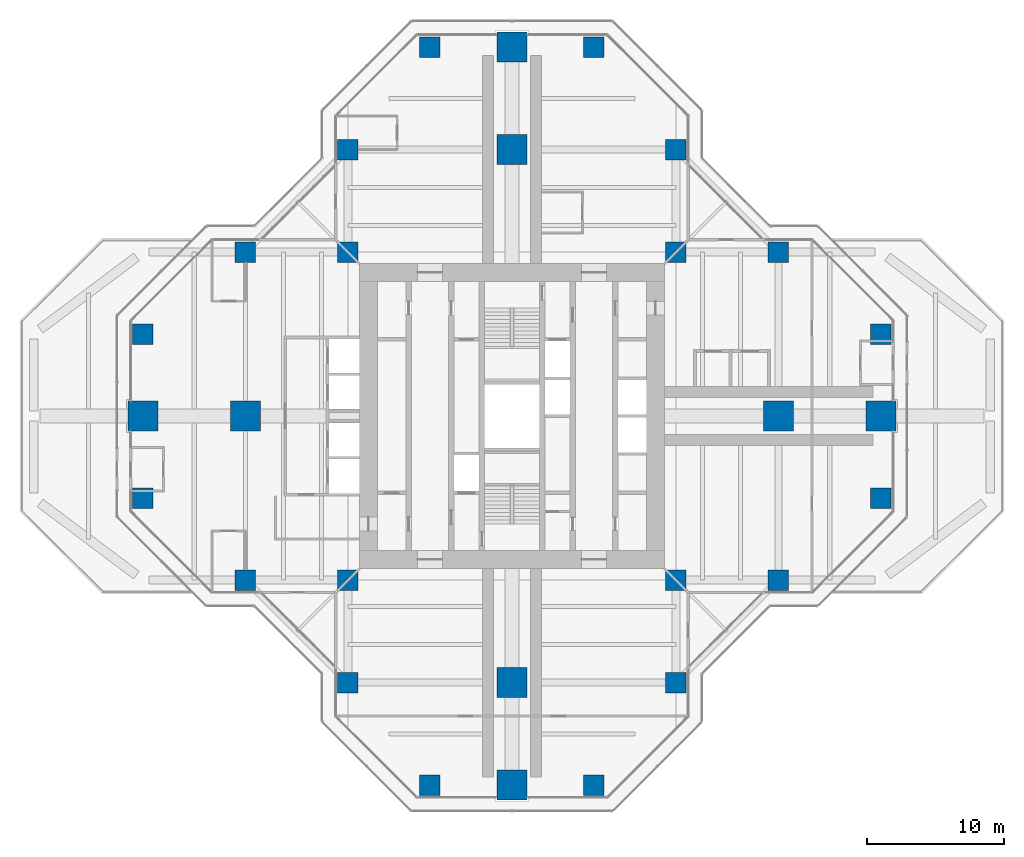
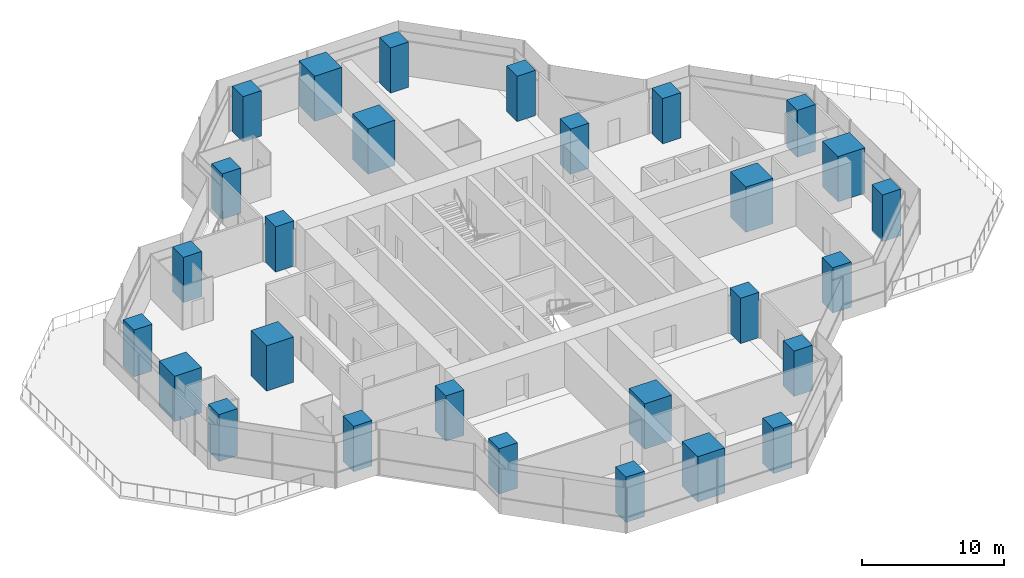
# One storey, part 1 of 19: 28 columns.
"""IFC4 building model written with IfcOpenShell, lengths in metres."""

from ifc_helpers import new_model, si_unit, direction, frame, origin, origin_2d, place, context, subcontext, project, spatial, rectangle, extrude, material, material_profile, profile_set, type_object, element, save


model = new_model("IFC4")

# Units and contexts
model_context = context("Model", 3, precision=1e-05, world=origin(), true_north=direction((0.0, 1.0)))
body_context = subcontext(model_context, "Body", "Model", "MODEL_VIEW")
ifc_project = project(units=[si_unit("LENGTHUNIT", "METRE"), si_unit("AREAUNIT", "SQUARE_METRE"), si_unit("VOLUMEUNIT", "CUBIC_METRE"), si_unit("PLANEANGLEUNIT", "RADIAN"), si_unit("MASSUNIT", "GRAM", prefix="KILO")], contexts=[model_context])

# Site, building, storey
site_placement = place(None, origin())
site = spatial("IfcSite", under=ifc_project, at=site_placement, CompositionType="ELEMENT")
building_placement = place(site_placement, origin())
building = spatial("IfcBuilding", under=site, at=building_placement, Name="Mizan Broadcast Tower", CompositionType="ELEMENT")
storey_placement = place(building_placement, frame((0.0, 0.0, 204.89990234375)))
storey = spatial("IfcBuildingStorey", under=building, at=storey_placement, Name="L47", CompositionType="ELEMENT", Elevation=204.89990234375)

# Columns
ifc_material_1 = material(Name="Concrete C70/85", Category="concrete")
ifc_material_profile_1 = material_profile(ifc_material_1, rectangle(XDim=1.5, YDim=1.5, at=origin_2d()), Name="RC 1500x1500")
ifc_profile_set_1 = profile_set([ifc_material_profile_1], Name="Concrete C70/85")
column_type_1 = type_object("IfcColumnType", Name="RC COLUMN 1500x1500 C70/85", PredefinedType="COLUMN", material=ifc_profile_set_1)
for number, where, z_axis, x_axis, name in (
    (1, (-6.0, -27.0, 0.0), (0.0, 0.0, 1.0), (1.0, 0.0, 0.0), "Column 5/B L47"),
    (2, (6.0, -27.0, 0.0), (0.0, 0.0, 1.0), (1.0, 0.0, 0.0), "Column 7/B L47"),
    (3, (-12.0, -19.5, 0.0), (0.0, 0.0, 1.0), (1.0, 0.0, 0.0), "Column 4/C L47"),
    (4, (12.0, -19.5, 0.0), (0.0, 0.0, 1.0), (1.0, 0.0, 0.0), "Column 8/C L47"),
    (5, (-19.5, -12.0, 0.0), (0.0, 0.0, 1.0), (1.0, 0.0, 0.0), "Column 3/D L47"),
    (6, (-12.0, -12.0, 0.0), (0.0, 0.0, 1.0), (1.0, 0.0, 0.0), "Column 4/D L47"),
    (7, (12.0, -12.0, 0.0), (0.0, 0.0, 1.0), (1.0, 0.0, 0.0), "Column 8/D L47"),
    (8, (19.5, -12.0, 0.0), (0.0, 0.0, 1.0), (1.0, 0.0, 0.0), "Column 9/D L47"),
):
    element("IfcColumn", number, at=place(storey_placement, frame(where, z_axis=z_axis, x_axis=x_axis)), inside=storey, type_object=column_type_1, Name=name, PredefinedType="COLUMN", context=body_context, shape_type="SweptSolid", body=[
        extrude(rectangle(XDim=1.5, YDim=1.5, at=origin_2d()), origin(), (0.0, 0.0, 1.0), 3.900146484375),
    ])
for number, where, z_axis, x_axis, name in (
    (9, (-27.0, -6.0, -0.1298828125), (0.0, 0.0, 1.0), (1.0, 0.0, 0.0), "Column 2/E L47"),
    (10, (27.0, -6.0, -0.1298828125), (0.0, 0.0, 1.0), (1.0, 0.0, 0.0), "Column 10/E L47"),
    (11, (-27.0, 6.0, -0.1298828125), (0.0, 0.0, 1.0), (1.0, 0.0, 0.0), "Column 2/G L47"),
    (12, (27.0, 6.0, -0.1298828125), (0.0, 0.0, 1.0), (1.0, 0.0, 0.0), "Column 10/G L47"),
):
    element("IfcColumn", number, at=place(storey_placement, frame(where, z_axis=z_axis, x_axis=x_axis)), inside=storey, type_object=column_type_1, Name=name, PredefinedType="COLUMN", context=body_context, shape_type="SweptSolid", body=[
        extrude(rectangle(XDim=1.5, YDim=1.5, at=origin_2d()), origin(), (0.0, 0.0, 1.0), 4.030029296875),
    ])
for number, where, z_axis, x_axis, name in (
    (13, (-19.5, 12.0, 0.0), (0.0, 0.0, 1.0), (1.0, 0.0, 0.0), "Column 3/H L47"),
    (14, (-12.0, 12.0, 0.0), (0.0, 0.0, 1.0), (1.0, 0.0, 0.0), "Column 4/H L47"),
    (15, (12.0, 12.0, 0.0), (0.0, 0.0, 1.0), (1.0, 0.0, 0.0), "Column 8/H L47"),
    (16, (19.5, 12.0, 0.0), (0.0, 0.0, 1.0), (1.0, 0.0, 0.0), "Column 9/H L47"),
    (17, (-12.0, 19.5, 0.0), (0.0, 0.0, 1.0), (1.0, 0.0, 0.0), "Column 4/J L47"),
    (18, (12.0, 19.5, 0.0), (0.0, 0.0, 1.0), (1.0, 0.0, 0.0), "Column 8/J L47"),
    (19, (-6.0, 27.0, 0.0), (0.0, 0.0, 1.0), (1.0, 0.0, 0.0), "Column 5/K L47"),
    (20, (6.0, 27.0, 0.0), (0.0, 0.0, 1.0), (1.0, 0.0, 0.0), "Column 7/K L47"),
):
    element("IfcColumn", number, at=place(storey_placement, frame(where, z_axis=z_axis, x_axis=x_axis)), inside=storey, type_object=column_type_1, Name=name, PredefinedType="COLUMN", context=body_context, shape_type="SweptSolid", body=[
        extrude(rectangle(XDim=1.5, YDim=1.5, at=origin_2d()), origin(), (0.0, 0.0, 1.0), 3.900146484375),
    ])
ifc_material_2 = material(Name="Concrete C70/85", Category="concrete")
ifc_material_profile_2 = material_profile(ifc_material_2, rectangle(XDim=2.199951171875, YDim=2.199951171875, at=origin_2d()), Name="RC 2200x2200")
ifc_profile_set_2 = profile_set([ifc_material_profile_2], Name="Concrete C70/85")
column_type_2 = type_object("IfcColumnType", Name="RC COLUMN 2200x2200 C70/85", PredefinedType="COLUMN", material=ifc_profile_set_2)
for number, where, z_axis, x_axis, name in (
    (21, (0.0, -27.0, 0.0), (0.0, 0.0, 1.0), (1.0, 0.0, 0.0), "Column 6/B L47"),
    (22, (0.0, -19.5, 0.0), (0.0, 0.0, 1.0), (1.0, 0.0, 0.0), "Column 6/C L47"),
    (23, (-27.0, 0.0, 0.0), (0.0, 0.0, 1.0), (1.0, 0.0, 0.0), "Column 2/F L47"),
    (24, (-19.5, 0.0, 0.0), (0.0, 0.0, 1.0), (1.0, 0.0, 0.0), "Column 3/F L47"),
    (25, (19.5, 0.0, 0.0), (0.0, 0.0, 1.0), (1.0, 0.0, 0.0), "Column 9/F L47"),
    (26, (27.0, 0.0, 0.0), (0.0, 0.0, 1.0), (1.0, 0.0, 0.0), "Column 10/F L47"),
    (27, (0.0, 19.5, 0.0), (0.0, 0.0, 1.0), (1.0, 0.0, 0.0), "Column 6/J L47"),
    (28, (0.0, 27.0, 0.0), (0.0, 0.0, 1.0), (1.0, 0.0, 0.0), "Column 6/K L47"),
):
    element("IfcColumn", number, at=place(storey_placement, frame(where, z_axis=z_axis, x_axis=x_axis)), inside=storey, type_object=column_type_2, Name=name, PredefinedType="COLUMN", context=body_context, shape_type="SweptSolid", body=[
        extrude(rectangle(XDim=2.199951171875, YDim=2.199951171875, at=origin_2d()), origin(), (0.0, 0.0, 1.0), 3.900146484375),
    ])

save(model, "model.ifc")
